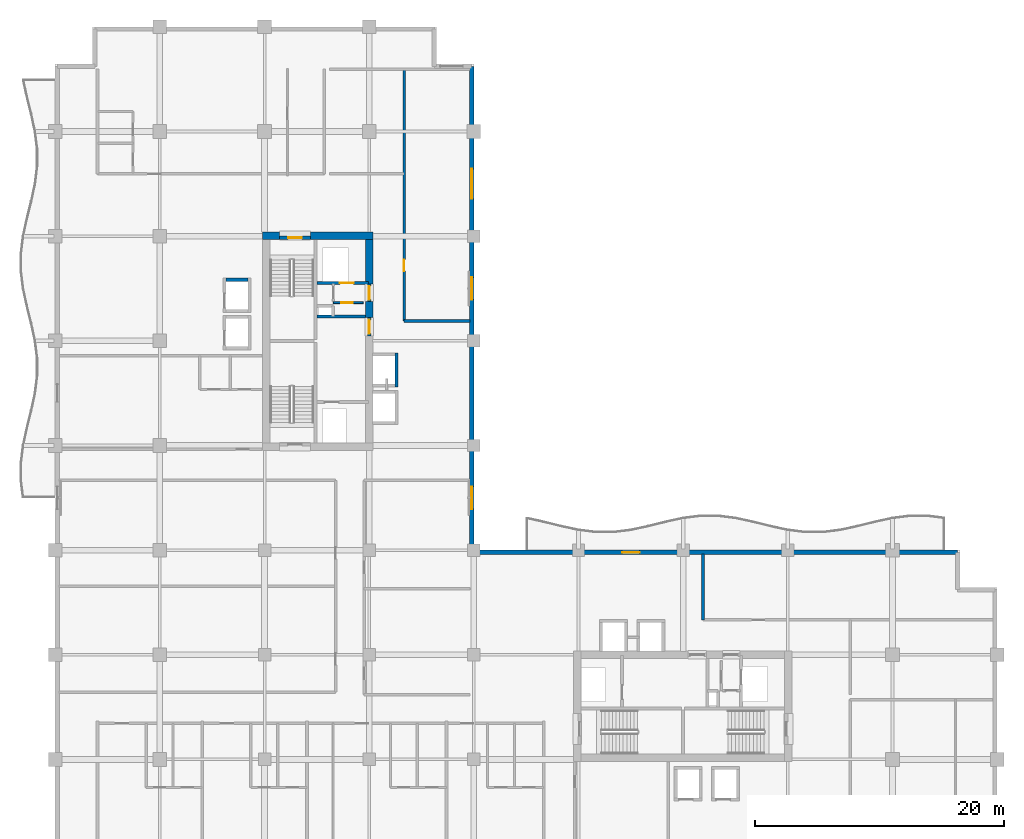
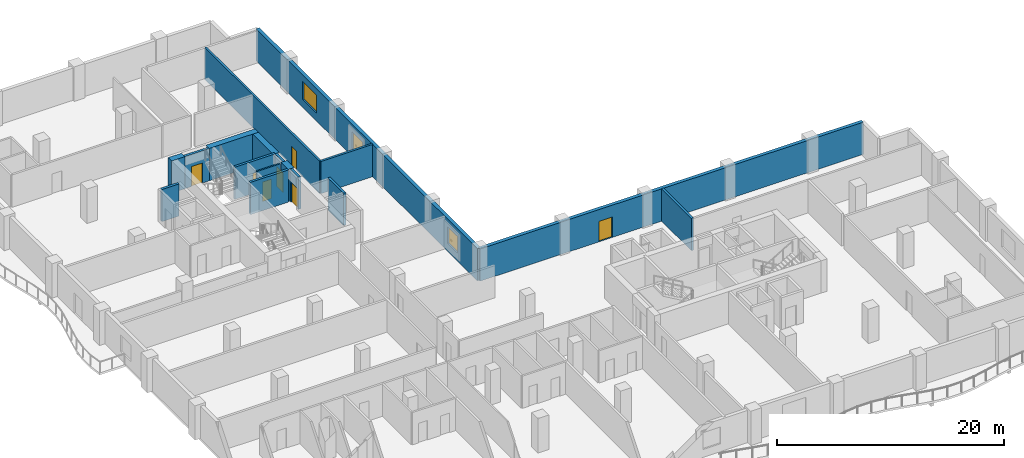
# One storey, part 7 of 14: 17 walls, 7 doors, 3 windows, 10 openings.
"""IFC4 building model written with IfcOpenShell, lengths in metres."""

import ifcopenshell
import ifcopenshell.guid

model = None  # the IFC model being written
_history = None  # IfcOwnerHistory: only IFC2X3 demands one
_inside = {}  # id of a spatial element -> (the spatial element, [elements in it])
_under = {}  # id of a project, library or spatial element -> (it, [spatial elements below it])
_declared = {}  # id of a project -> (the project, [libraries it declares])
_typed = {}  # id of a type object -> (the type object, [elements of that type])
_made_of = {}  # id of a material, layer set ... -> (it, [elements and type objects made of it])


def new_model(schema):
    """Start an empty IFC model of exactly this schema.

    Asked for "IFC4X3", IfcOpenShell would pick the latest addendum, in which some entities
    have other attributes; the version numbers below select the first issue.
    IFC2X3 requires an IfcOwnerHistory on every rooted entity: one is made here for all.
    """
    global model, _history
    if schema == "IFC4X3":
        model = ifcopenshell.file(schema_version=(4, 3, 0, 0))
    else:
        model = ifcopenshell.file(schema=schema)
    _inside.clear()
    _under.clear()
    _declared.clear()
    _typed.clear()
    _made_of.clear()
    _history = None
    if model.schema == "IFC2X3":
        org = make("IfcOrganization", Name="unknown")
        user = make(
            "IfcPersonAndOrganization",
            ThePerson=make("IfcPerson", FamilyName="unknown"),
            TheOrganization=org,
        )
        app = make(
            "IfcApplication",
            ApplicationDeveloper=org,
            Version="unknown",
            ApplicationFullName="unknown",
            ApplicationIdentifier="unknown",
        )
        _history = make(
            "IfcOwnerHistory",
            OwningUser=user,
            OwningApplication=app,
            ChangeAction="ADDED",
            CreationDate=0,
        )
    return model


def make(cls, **values):
    """One entity of the class cls with the attributes given. An attribute that is None is left unset."""
    return model.create_entity(
        cls, **{name: value for name, value in values.items() if value is not None}
    )


def rooted(cls, **values):
    """An entity with a GlobalId (a new one), such as an element, a storey or a relation."""
    return make(cls, GlobalId=ifcopenshell.guid.new(), OwnerHistory=_history, **values)


def si_unit(unit_type, name, prefix=None):
    """IfcSIUnit, for example si_unit("LENGTHUNIT", "METRE", prefix="MILLI")."""
    return make("IfcSIUnit", UnitType=unit_type, Prefix=prefix, Name=name)


def assignment(units):
    """IfcUnitAssignment: the units of a project."""
    return None if units is None else make("IfcUnitAssignment", Units=units)


def point(xyz):
    """IfcCartesianPoint."""
    return None if xyz is None else make("IfcCartesianPoint", Coordinates=xyz)


def direction(xyz):
    """IfcDirection."""
    return None if xyz is None else make("IfcDirection", DirectionRatios=xyz)


def frame(location, z_axis=None, x_axis=None):
    """IfcAxis2Placement3D, a coordinate frame: its origin and axes. An axis left out is left unset."""
    return make(
        "IfcAxis2Placement3D",
        Location=point(location),
        Axis=direction(z_axis),
        RefDirection=direction(x_axis),
    )


def frame_2d(location, x_axis=None):
    """IfcAxis2Placement2D, a coordinate frame in the plane: its origin and x axis."""
    return make(
        "IfcAxis2Placement2D", Location=point(location), RefDirection=direction(x_axis)
    )


def origin():
    """The frame at (0, 0, 0) with its axes left unset."""
    return frame((0.0, 0.0, 0.0))


def place(relative_to, where):
    """IfcLocalPlacement: puts the frame where relative to a parent placement (None: the world)."""
    return make(
        "IfcLocalPlacement", PlacementRelTo=relative_to, RelativePlacement=where
    )


def context(
    kind, dimensions, precision=None, world=None, true_north=None, identifier=None
):
    """IfcGeometricRepresentationContext, for example the 3D "Model" context."""
    return make(
        "IfcGeometricRepresentationContext",
        ContextIdentifier=identifier,
        ContextType=kind,
        CoordinateSpaceDimension=dimensions,
        Precision=precision,
        WorldCoordinateSystem=world,
        TrueNorth=true_north,
    )


def subcontext(parent, identifier, kind, view, scale=None):
    """IfcGeometricRepresentationSubContext, for example "Body" below "Model"."""
    return make(
        "IfcGeometricRepresentationSubContext",
        ContextIdentifier=identifier,
        ContextType=kind,
        ParentContext=parent,
        TargetScale=scale,
        TargetView=view,
    )


def project(units=None, contexts=None):
    """IfcProject with its units and contexts."""
    return rooted(
        "IfcProject",
        Name="project",
        RepresentationContexts=contexts,
        UnitsInContext=assignment(units),
    )


def spatial(cls, under=None, at=None, **own):
    """A site, building, storey or space (cls), placed at a placement, below another one or the project."""
    s = rooted(cls, ObjectPlacement=at, **own)
    if under is not None:
        _under.setdefault(under.id(), (under, []))[1].append(s)
    return s


def profile(cls, at=None, kind="AREA", **sizes):
    """A parametric profile (cls). Its sizes go by their IFC names, for example OverallWidth=200.0."""
    return make(cls, ProfileType=kind, Position=at, **sizes)


def rectangle(**sizes):
    """IfcRectangleProfileDef."""
    return profile("IfcRectangleProfileDef", **sizes)


def extrude(swept, where, along, depth):
    """IfcExtrudedAreaSolid: the profile swept, set in the frame where, extruded along a direction by depth."""
    return make(
        "IfcExtrudedAreaSolid",
        SweptArea=swept,
        Position=where,
        ExtrudedDirection=direction(along),
        Depth=depth,
    )


def shape(context_of_items, identifier, shape_type, items):
    """IfcShapeRepresentation: the items that make up one representation, for example the "Body"."""
    return make(
        "IfcShapeRepresentation",
        ContextOfItems=context_of_items,
        RepresentationIdentifier=identifier,
        RepresentationType=shape_type,
        Items=items,
    )


def material(Name=None, Category=None):
    """IfcMaterial."""
    return make("IfcMaterial", Name=Name, Category=Category)


def layer(
    of_material, thickness, ventilated=None, Name=None, Category=None, Priority=None
):
    """IfcMaterialLayer: one layer of a wall or slab, of a material (None: an air gap)."""
    return make(
        "IfcMaterialLayer",
        Material=of_material,
        LayerThickness=thickness,
        IsVentilated=ventilated,
        Name=Name,
        Category=Category,
        Priority=Priority,
    )


def layer_set(layers, Name=None):
    """IfcMaterialLayerSet."""
    return make("IfcMaterialLayerSet", MaterialLayers=layers, LayerSetName=Name)


def made_of(thing, what):
    """Note that an element or type object is made of a material, layer set ...; save() writes the relation."""
    if what is not None:
        _made_of.setdefault(what.id(), (what, []))[1].append(thing)
    return thing


def type_object(cls, material=None, **own):
    """A type object (cls), such as IfcWallType, which elements share."""
    return made_of(rooted(cls, **own), material)


def element(
    cls,
    number,
    at=None,
    inside=None,
    cuts=None,
    type_object=None,
    material=None,
    context=None,
    identifier="Body",
    shape_type=None,
    held_by="IfcProductDefinitionShape",
    body=None,
    shapes=None,
    **own,
):
    """One element of the class cls, such as IfcWall. Its Tag is "e" and its number.

    at: its placement. inside: the storey or other place that contains it. cuts: it is an
    opening in that element (IfcRelVoidsElement). A single representation is given by context,
    identifier, shape_type and body (its items); several are given by shapes. held_by: the class
    of the entity that holds the representations. save() writes the other relations.
    """
    e = rooted(cls, Tag="e%d" % number, ObjectPlacement=at, **own)
    if body is not None:
        shapes = [shape(context, identifier, shape_type, body)]
    if shapes is not None:
        e.Representation = make(held_by, Representations=shapes)
    if inside is not None:
        _inside.setdefault(inside.id(), (inside, []))[1].append(e)
    if cuts is not None:
        rooted(
            "IfcRelVoidsElement", RelatingBuildingElement=cuts, RelatedOpeningElement=e
        )
    if type_object is not None:
        _typed.setdefault(type_object.id(), (type_object, []))[1].append(e)
    return made_of(e, material)


def fill(opening, filler):
    """IfcRelFillsElement: the door or window that sits in an opening."""
    return rooted(
        "IfcRelFillsElement",
        RelatingOpeningElement=opening,
        RelatedBuildingElement=filler,
    )


def aggregate(whole, parts):
    """IfcRelAggregates: a whole, such as a stair, and the parts it consists of."""
    return rooted("IfcRelAggregates", RelatingObject=whole, RelatedObjects=parts)


def save(model, path):
    """Write the relations noted so far, then the file.

    IfcRelAggregates (storeys below a building ...), IfcRelContainedInSpatialStructure (elements
    in a storey), IfcRelDefinesByType, IfcRelAssociatesMaterial and IfcRelDeclares: one each for
    every whole, place, type object, material and project.
    """
    for whole, parts in _under.values():
        aggregate(whole, parts)
    for where, things in _inside.values():
        rooted(
            "IfcRelContainedInSpatialStructure",
            RelatedElements=things,
            RelatingStructure=where,
        )
    for kind, things in _typed.values():
        rooted("IfcRelDefinesByType", RelatedObjects=things, RelatingType=kind)
    for what, things in _made_of.values():
        rooted("IfcRelAssociatesMaterial", RelatedObjects=things, RelatingMaterial=what)
    for by, libraries in _declared.values():
        rooted("IfcRelDeclares", RelatingContext=by, RelatedDefinitions=libraries)
    model.write(path)


model = new_model("IFC4")

# Units and contexts
model_context = context("Model", 3, precision=1e-05, world=origin(), true_north=direction((0.0, 1.0)))
body_context = subcontext(model_context, "Body", "Model", "MODEL_VIEW")
ifc_project = project(units=[si_unit("LENGTHUNIT", "METRE"), si_unit("AREAUNIT", "SQUARE_METRE"), si_unit("VOLUMEUNIT", "CUBIC_METRE"), si_unit("PLANEANGLEUNIT", "RADIAN"), si_unit("MASSUNIT", "GRAM", prefix="KILO")], contexts=[model_context])

# Site, building, storey
site_placement = place(None, origin())
site = spatial("IfcSite", under=ifc_project, at=site_placement, CompositionType="ELEMENT")
building_placement = place(site_placement, origin())
building = spatial("IfcBuilding", under=site, at=building_placement, Name="Koriwani Terraces Tower", CompositionType="ELEMENT")
storey_placement = place(building_placement, frame((0.0, 0.0, 201.300048828125)))
storey = spatial("IfcBuildingStorey", under=building, at=storey_placement, Name="L49", CompositionType="ELEMENT", Elevation=201.300048828125)

# Walls
ifc_material_1 = material(Name="Concrete C60/75", Category="concrete")
ifc_layer_1 = layer(ifc_material_1, 0.60009765625, Name="Concrete C60/75")
ifc_layer_set_1 = layer_set([ifc_layer_1], Name="Concrete C60/75")
wall_type_1 = type_object("IfcWallType", Name="WALL_CORE_RC_600", PredefinedType="SHEAR", material=ifc_layer_set_1)
wall_1_placement = place(storey_placement, frame((16.64990234375, 58.85009765625, 0.0), z_axis=(0.0, 0.0, 1.0), x_axis=(1.0, 0.0, 0.0)))
element("IfcWall", 1, at=wall_1_placement, inside=storey, type_object=wall_type_1, Name="L49 West Split Core Shear Wall N1", PredefinedType="SHEAR", context=body_context, shape_type="SweptSolid", body=[
    extrude(rectangle(XDim=1.35009765625, YDim=0.60009765625, at=frame_2d((0.675048828125, 0.0))), origin(), (0.0, 0.0, 1.0), 3.469970703125),
])
wall_2_placement = place(storey_placement, frame((20.5, 58.85009765625, 0.0), z_axis=(0.0, 0.0, 1.0), x_axis=(1.0, 0.0, 0.0)))
element("IfcWall", 2, at=wall_2_placement, inside=storey, type_object=wall_type_1, Name="L49 West Split Core Shear Wall N2", PredefinedType="SHEAR", context=body_context, shape_type="SweptSolid", body=[
    extrude(rectangle(XDim=5.0, YDim=0.60009765625, at=frame_2d((2.5, 0.0))), origin(), (0.0, 0.0, 1.0), 3.469970703125),
])
wall_3_placement = place(storey_placement, frame((25.199951171875, 52.280029296875, 0.0), z_axis=(0.0, 0.0, 1.0), x_axis=(0.0, 1.0, 0.0)))
element("IfcWall", 3, at=wall_3_placement, inside=storey, type_object=wall_type_1, Name="L49 West Split Core Shear Wall E2", PredefinedType="SHEAR", context=body_context, shape_type="SweptSolid", body=[
    extrude(rectangle(XDim=1.27001953125, YDim=0.60009765625, at=frame_2d((0.635009765625, 0.0))), origin(), (0.0, 0.0, 1.0), 3.469970703125),
])
wall_4_placement = place(storey_placement, frame((25.199951171875, 54.949951171875, 0.0), z_axis=(0.0, 0.0, 1.0), x_axis=(0.0, 1.0, 0.0)))
element("IfcWall", 4, at=wall_4_placement, inside=storey, type_object=wall_type_1, Name="L49 West Split Core Shear Wall E3", PredefinedType="SHEAR", context=body_context, shape_type="SweptSolid", body=[
    extrude(rectangle(XDim=3.60009765625, YDim=0.60009765625, at=frame_2d((1.800048828125, 0.0))), origin(), (0.0, 0.0, 1.0), 3.469970703125),
])

# Wall, opening, door
ifc_material_2 = material(Name="Autoclaved Cellular Concrete Blockwork", Category="masonry")
ifc_layer_2 = layer(ifc_material_2, 0.199951171875, Name="Autoclaved Cellular Concrete Blockwork")
ifc_layer_set_2 = layer_set([ifc_layer_2], Name="Autoclaved Cellular Concrete Blockwork")
wall_type_2 = type_object("IfcWallType", Name="WALL_CORRIDOR_200", PredefinedType="PARTITIONING", material=ifc_layer_set_2)
wall_5_placement = place(storey_placement, frame((28.0, 52.0, 0.0), z_axis=(0.0, 0.0, 1.0), x_axis=(0.0, 1.0, 0.0)))
wall_5 = element("IfcWall", 5, at=wall_5_placement, inside=storey, type_object=wall_type_2, Name="L49 Interior Wall WNWT2-W-L49", PredefinedType="PARTITIONING", context=body_context, shape_type="SweptSolid", body=[
    extrude(rectangle(XDim=20.199951171875, YDim=0.199951171875, at=frame_2d((10.10009765625, 0.0))), origin(), (0.0, 0.0, 1.0), 3.469970703125),
])
opening_1_placement = place(wall_5_placement, frame((4.0, 0.0, 0.0)))
opening_1 = element("IfcOpeningElement", 6, at=opening_1_placement, cuts=wall_5, Name="Opening D-06", PredefinedType="OPENING", context=body_context, shape_type="SweptSolid", body=[
    extrude(rectangle(XDim=0.919921875, YDim=2.10009765625, at=frame_2d((0.4599609375, 1.050048828125))), frame((0.0, 0.10986328125, 0.0), z_axis=(0.0, -1.0, 0.0), x_axis=(1.0, 0.0, 0.0)), (0.0, 0.0, 1.0), 0.219970703125),
])
ifc_material_3 = material(Name="Architectural Oak Fire Door", Category="wood")
door_type_1 = type_object("IfcDoorType", Name="DOOR_ROOM_INT_920X2100", OperationType="NOTDEFINED", PredefinedType="DOOR", material=ifc_material_3)
door_1_placement = place(opening_1_placement, origin())
door_1 = element("IfcDoor", 7, at=door_1_placement, inside=storey, type_object=door_type_1, Name="L49 North Court Lounge Door", OperationType="SINGLE_SWING_RIGHT", OverallHeight=2.10009765625, OverallWidth=0.919921875, PredefinedType="DOOR", context=body_context, shape_type="SweptSolid", body=[
    extrude(rectangle(XDim=0.919921875, YDim=2.10009765625, at=frame_2d((0.4599609375, 1.050048828125))), frame((0.0, 0.02490234375, 0.0), z_axis=(0.0, -1.0, 0.0), x_axis=(1.0, 0.0, 0.0)), (0.0, 0.0, 1.0), 0.050048828125),
])
fill(opening_1, door_1)

# Walls
ifc_layer_3 = layer(ifc_material_2, 0.219970703125, Name="Autoclaved Cellular Concrete Blockwork")
ifc_layer_set_3 = layer_set([ifc_layer_3], Name="Autoclaved Cellular Concrete Blockwork")
wall_type_3 = type_object("IfcWallType", Name="WALL_DEMISING_220", PredefinedType="PARTITIONING", material=ifc_layer_set_3)
for number, where, z_axis, x_axis, name in (
    (8, (28.0, 52.0, 0.0), (0.0, 0.0, 1.0), (1.0, 0.0, 0.0), "L49 Interior Wall WNWT2-S-L49"),
    (9, (52.0, 28.0, 0.0), (0.0, 0.0, 1.0), (0.0, 1.0, 0.0), "L49 Interior Wall WSET2-W-L49"),
):
    element("IfcWall", number, at=place(storey_placement, frame(where, z_axis=z_axis, x_axis=x_axis)), inside=storey, type_object=wall_type_3, Name=name, PredefinedType="PARTITIONING", context=body_context, shape_type="SweptSolid", body=[
        extrude(rectangle(XDim=5.300048828125, YDim=0.219970703125, at=frame_2d((2.64990234375, 0.0))), origin(), (0.0, 0.0, 1.0), 3.469970703125),
    ])

# Wall, openings, windows
ifc_material_4 = material(Name="Concrete C50/60", Category="concrete")
ifc_layer_4 = layer(ifc_material_4, 0.35009765625, Name="Concrete C50/60")
ifc_layer_set_4 = layer_set([ifc_layer_4], Name="Concrete C50/60")
wall_type_4 = type_object("IfcWallType", Name="WALL_EXT_BRUTALIST_350", PredefinedType="STANDARD", material=ifc_layer_set_4)
wall_6_placement = place(storey_placement, frame((33.425048828125, 72.425048828125, 0.0), z_axis=(0.0, 0.0, 1.0), x_axis=(0.0, -1.0, 0.0)))
wall_6 = element("IfcWall", 10, at=wall_6_placement, inside=storey, type_object=wall_type_4, Name="L49 Fair-Faced Brutalist Exterior Wall (NW_IN)", PredefinedType="STANDARD", context=body_context, shape_type="SweptSolid", body=[
    extrude(rectangle(XDim=39.0, YDim=0.35009765625, at=frame_2d((19.5, 0.0))), origin(), (0.0, 0.0, 1.0), 3.469970703125),
])
opening_2_placement = place(wall_6_placement, frame((33.72509765625, 0.0, 0.85009765625)))
opening_2 = element("IfcOpeningElement", 11, at=opening_2_placement, cuts=wall_6, Name="Opening W-04", PredefinedType="OPENING", context=body_context, shape_type="SweptSolid", body=[
    extrude(rectangle(XDim=1.800048828125, YDim=1.800048828125, at=frame_2d((0.89990234375, 0.89990234375))), frame((0.0, 0.18505859375, 0.0), z_axis=(0.0, -1.0, 0.0), x_axis=(1.0, 0.0, 0.0)), (0.0, 0.0, 1.0), 0.3701171875),
])
opening_3_placement = place(wall_6_placement, frame((16.925048828125, 0.0, 0.85009765625)))
opening_3 = element("IfcOpeningElement", 12, at=opening_3_placement, cuts=wall_6, Name="Opening W-04", PredefinedType="OPENING", context=body_context, shape_type="SweptSolid", body=[
    extrude(rectangle(XDim=1.800048828125, YDim=1.800048828125, at=frame_2d((0.89990234375, 0.89990234375))), frame((0.0, 0.18505859375, 0.0), z_axis=(0.0, -1.0, 0.0), x_axis=(1.0, 0.0, 0.0)), (0.0, 0.0, 1.0), 0.3701171875),
])
opening_4_placement = place(wall_6_placement, frame((8.22509765625, 0.0, 0.85009765625)))
opening_4 = element("IfcOpeningElement", 13, at=opening_4_placement, cuts=wall_6, Name="Opening W-03", PredefinedType="OPENING", context=body_context, shape_type="SweptSolid", body=[
    extrude(rectangle(XDim=2.39990234375, YDim=1.949951171875, at=frame_2d((1.199951171875, 0.97509765625))), frame((0.0, 0.18505859375, 0.0), z_axis=(0.0, -1.0, 0.0), x_axis=(1.0, 0.0, 0.0)), (0.0, 0.0, 1.0), 0.3701171875),
])
ifc_material_5 = material(Name="Tempered Laminated Low-E Glass", Category="glass")
window_type_1 = type_object("IfcWindowType", Name="WIN_RES_BED_1800X1800", PartitioningType="DOUBLE_PANEL_VERTICAL", PredefinedType="WINDOW", material=ifc_material_5)
window_1_placement = place(opening_2_placement, origin())
window_1 = element("IfcWindow", 14, at=window_1_placement, inside=storey, type_object=window_type_1, Name="L49 Exterior Window (NW_IN-2)", OverallHeight=1.800048828125, OverallWidth=1.800048828125, PartitioningType="SINGLE_PANEL", PredefinedType="WINDOW", context=body_context, shape_type="SweptSolid", body=[
    extrude(rectangle(XDim=1.800048828125, YDim=1.800048828125, at=frame_2d((0.89990234375, 0.89990234375))), frame((0.0, 0.030029296875, 0.0), z_axis=(0.0, -1.0, 0.0), x_axis=(1.0, 0.0, 0.0)), (0.0, 0.0, 1.0), 0.06005859375),
])
fill(opening_2, window_1)
window_2_placement = place(opening_3_placement, origin())
window_2 = element("IfcWindow", 15, at=window_2_placement, inside=storey, type_object=window_type_1, Name="L49 Exterior Window (NW_IN-8)", OverallHeight=1.800048828125, OverallWidth=1.800048828125, PartitioningType="SINGLE_PANEL", PredefinedType="WINDOW", context=body_context, shape_type="SweptSolid", body=[
    extrude(rectangle(XDim=1.800048828125, YDim=1.800048828125, at=frame_2d((0.89990234375, 0.89990234375))), frame((0.0, 0.030029296875, 0.0), z_axis=(0.0, -1.0, 0.0), x_axis=(1.0, 0.0, 0.0)), (0.0, 0.0, 1.0), 0.06005859375),
])
fill(opening_3, window_2)
window_type_2 = type_object("IfcWindowType", Name="WIN_RES_LIVING_2400X1950", PartitioningType="DOUBLE_PANEL_VERTICAL", PredefinedType="WINDOW", material=ifc_material_5)
window_3_placement = place(opening_4_placement, origin())
window_3 = element("IfcWindow", 16, at=window_3_placement, inside=storey, type_object=window_type_2, Name="L49 Exterior Window (NW_IN-11)", OverallHeight=1.949951171875, OverallWidth=2.39990234375, PartitioningType="SINGLE_PANEL", PredefinedType="WINDOW", context=body_context, shape_type="SweptSolid", body=[
    extrude(rectangle(XDim=2.39990234375, YDim=1.949951171875, at=frame_2d((1.199951171875, 0.97509765625))), frame((0.0, 0.030029296875, 0.0), z_axis=(0.0, -1.0, 0.0), x_axis=(1.0, 0.0, 0.0)), (0.0, 0.0, 1.0), 0.06005859375),
])
fill(opening_4, window_3)

# Wall, opening, door
wall_7_placement = place(storey_placement, frame((33.425048828125, 33.425048828125, 0.0), z_axis=(0.0, 0.0, 1.0), x_axis=(1.0, 0.0, 0.0)))
wall_7 = element("IfcWall", 17, at=wall_7_placement, inside=storey, type_object=wall_type_4, Name="L49 Fair-Faced Brutalist Exterior Wall (NE)", PredefinedType="STANDARD", context=body_context, shape_type="SweptSolid", body=[
    extrude(rectangle(XDim=39.0, YDim=0.35009765625, at=frame_2d((19.5, 0.0))), origin(), (0.0, 0.0, 1.0), 3.469970703125),
])
opening_5_placement = place(wall_7_placement, frame((12.074951171875, 0.0, 0.0)))
opening_5 = element("IfcOpeningElement", 18, at=opening_5_placement, cuts=wall_7, Name="Opening D-09", PredefinedType="OPENING", context=body_context, shape_type="SweptSolid", body=[
    extrude(rectangle(XDim=1.39990234375, YDim=2.199951171875, at=frame_2d((0.699951171875, 1.10009765625))), frame((0.0, 0.18505859375, 0.0), z_axis=(0.0, -1.0, 0.0), x_axis=(1.0, 0.0, 0.0)), (0.0, 0.0, 1.0), 0.3701171875),
])
ifc_material_6 = material(Name="Anodised Bronze Aluminium", Category="aluminium")
door_type_2 = type_object("IfcDoorType", Name="DOOR_BALCONY_GLAZED_1400X2200", OperationType="NOTDEFINED", PredefinedType="DOOR", material=ifc_material_6)
door_2_placement = place(opening_5_placement, origin())
door_2 = element("IfcDoor", 19, at=door_2_placement, inside=storey, type_object=door_type_2, Name="L49 Inner Court Balcony Glazed Door", OperationType="SINGLE_SWING_LEFT", OverallHeight=2.199951171875, OverallWidth=1.39990234375, PredefinedType="DOOR", context=body_context, shape_type="SweptSolid", body=[
    extrude(rectangle(XDim=1.39990234375, YDim=2.199951171875, at=frame_2d((0.699951171875, 1.10009765625))), frame((0.0, 0.02490234375, 0.0), z_axis=(0.0, -1.0, 0.0), x_axis=(1.0, 0.0, 0.0)), (0.0, 0.0, 1.0), 0.050048828125),
])
fill(opening_5, door_2)

ifc_material_7 = material(Name="Concrete C40/50", Category="concrete")
ifc_layer_5 = layer(ifc_material_7, 0.25, Name="Concrete C40/50")
ifc_layer_set_5 = layer_set([ifc_layer_5], Name="Concrete C40/50")
wall_type_5 = type_object("IfcWallType", Name="WALL_SHAFT_RATED_250", PredefinedType="SOLIDWALL", material=ifc_layer_set_5)
wall_8_placement = place(storey_placement, frame((18.0, 58.675048828125, 0.0), z_axis=(0.0, 0.0, 1.0), x_axis=(1.0, 0.0, 0.0)))
wall_8 = element("IfcWall", 20, at=wall_8_placement, inside=storey, type_object=wall_type_5, Name="L49 Interior Wall WIN-CW-L49-STN", PredefinedType="SOLIDWALL", context=body_context, shape_type="SweptSolid", body=[
    extrude(rectangle(XDim=2.5, YDim=0.25, at=frame_2d((1.25, 0.0))), origin(), (0.0, 0.0, 1.0), 3.469970703125),
])
opening_6_placement = place(wall_8_placement, frame((0.699951171875, 0.0, 0.0)))
opening_6 = element("IfcOpeningElement", 21, at=opening_6_placement, cuts=wall_8, Name="Opening D-03", PredefinedType="OPENING", context=body_context, shape_type="SweptSolid", body=[
    extrude(rectangle(XDim=1.10009765625, YDim=2.14990234375, at=frame_2d((0.550048828125, 1.074951171875))), frame((0.0, 0.135009765625, 0.0), z_axis=(0.0, -1.0, 0.0), x_axis=(1.0, 0.0, 0.0)), (0.0, 0.0, 1.0), 0.27001953125),
])
ifc_material_8 = material(Name="Steel ASTM A572 Grade 50", Category="steel")
door_type_3 = type_object("IfcDoorType", Name="DOOR_STAIR_FIRE_1100X2150", OperationType="NOTDEFINED", PredefinedType="DOOR", material=ifc_material_8)
door_3_placement = place(opening_6_placement, origin())
door_3 = element("IfcDoor", 22, at=door_3_placement, inside=storey, type_object=door_type_3, Name="L49 Exit Stair ST-W2 Door", OperationType="SINGLE_SWING_RIGHT", OverallHeight=2.14990234375, OverallWidth=1.10009765625, PredefinedType="DOOR", context=body_context, shape_type="SweptSolid", body=[
    extrude(rectangle(XDim=1.10009765625, YDim=2.14990234375, at=frame_2d((0.550048828125, 1.074951171875))), frame((0.0, 0.02490234375, 0.0), z_axis=(0.0, -1.0, 0.0), x_axis=(1.0, 0.0, 0.0)), (0.0, 0.0, 1.0), 0.050048828125),
])
fill(opening_6, door_3)

wall_9_placement = place(storey_placement, frame((25.199951171875, 50.800048828125, 0.0), z_axis=(0.0, 0.0, 1.0), x_axis=(0.0, 1.0, 0.0)))
wall_9 = element("IfcWall", 23, at=wall_9_placement, inside=storey, type_object=wall_type_5, Name="L49 Interior Wall WIN-CW-L49-EP", PredefinedType="SOLIDWALL", context=body_context, shape_type="SweptSolid", body=[
    extrude(rectangle(XDim=1.47998046875, YDim=0.25, at=frame_2d((0.739990234375, 0.0))), origin(), (0.0, 0.0, 1.0), 3.469970703125),
])
opening_7_placement = place(wall_9_placement, frame((0.179931640625, 0.0, 0.0)))
opening_7 = element("IfcOpeningElement", 24, at=opening_7_placement, cuts=wall_9, Name="Opening D-03", PredefinedType="OPENING", context=body_context, shape_type="SweptSolid", body=[
    extrude(rectangle(XDim=1.10009765625, YDim=2.14990234375, at=frame_2d((0.550048828125, 1.074951171875))), frame((0.0, 0.135009765625, 0.0), z_axis=(0.0, -1.0, 0.0), x_axis=(1.0, 0.0, 0.0)), (0.0, 0.0, 1.0), 0.27001953125),
])
door_4_placement = place(opening_7_placement, origin())
door_4 = element("IfcDoor", 25, at=door_4_placement, inside=storey, type_object=door_type_3, Name="L49 West Firefighting Lobby Door", OperationType="SINGLE_SWING_LEFT", OverallHeight=2.14990234375, OverallWidth=1.10009765625, PredefinedType="DOOR", context=body_context, shape_type="SweptSolid", body=[
    extrude(rectangle(XDim=1.10009765625, YDim=2.14990234375, at=frame_2d((0.550048828125, 1.074951171875))), frame((0.0, 0.02490234375, 0.0), z_axis=(0.0, -1.0, 0.0), x_axis=(1.0, 0.0, 0.0)), (0.0, 0.0, 1.0), 0.050048828125),
])
fill(opening_7, door_4)

# Wall
wall_10_placement = place(storey_placement, frame((21.0, 52.340087890625, 0.0), z_axis=(0.0, 0.0, 1.0), x_axis=(1.0, 0.0, 0.0)))
element("IfcWall", 26, at=wall_10_placement, inside=storey, type_object=wall_type_5, Name="L49 Interior Wall WIN-CW-L49-FFN", PredefinedType="SOLIDWALL", context=body_context, shape_type="SweptSolid", body=[
    extrude(rectangle(XDim=3.89990234375, YDim=0.25, at=frame_2d((1.949951171875, 0.0))), origin(), (0.0, 0.0, 1.0), 3.469970703125),
])

# Wall, opening, door
wall_11_placement = place(storey_placement, frame((21.0, 55.050048828125, 0.0), z_axis=(0.0, 0.0, 1.0), x_axis=(1.0, 0.0, 0.0)))
wall_11 = element("IfcWall", 27, at=wall_11_placement, inside=storey, type_object=wall_type_5, Name="L49 Interior Wall WIN-CW-L49-SE", PredefinedType="SOLIDWALL", context=body_context, shape_type="SweptSolid", body=[
    extrude(rectangle(XDim=4.14990234375, YDim=0.25, at=frame_2d((2.074951171875, 0.0))), origin(), (0.0, 0.0, 1.0), 3.469970703125),
])
opening_8_placement = place(wall_11_placement, frame((1.85009765625, 0.0, 0.0)))
opening_8 = element("IfcOpeningElement", 28, at=opening_8_placement, cuts=wall_11, Name="Opening LD-01", PredefinedType="OPENING", context=body_context, shape_type="SweptSolid", body=[
    extrude(rectangle(XDim=1.10009765625, YDim=2.14990234375, at=frame_2d((0.550048828125, 1.074951171875))), frame((0.0, 0.135009765625, 0.0), z_axis=(0.0, -1.0, 0.0), x_axis=(1.0, 0.0, 0.0)), (0.0, 0.0, 1.0), 0.27001953125),
])
door_type_4 = type_object("IfcDoorType", Name="DOOR_LIFT_LANDING_1100X2200", OperationType="NOTDEFINED", PredefinedType="DOOR", material=ifc_material_8)
door_5_placement = place(opening_8_placement, origin())
door_5 = element("IfcDoor", 29, at=door_5_placement, inside=storey, type_object=door_type_4, Name="L49 Goods Lift SE-01 Landing Door", OperationType="SLIDING_TO_LEFT", OverallHeight=2.14990234375, OverallWidth=1.10009765625, PredefinedType="DOOR", context=body_context, shape_type="SweptSolid", body=[
    extrude(rectangle(XDim=1.10009765625, YDim=2.14990234375, at=frame_2d((0.550048828125, 1.074951171875))), frame((0.0, 0.02490234375, 0.0), z_axis=(0.0, -1.0, 0.0), x_axis=(1.0, 0.0, 0.0)), (0.0, 0.0, 1.0), 0.050048828125),
])
fill(opening_8, door_5)

wall_12_placement = place(storey_placement, frame((25.199951171875, 53.550048828125, 0.0), z_axis=(0.0, 0.0, 1.0), x_axis=(0.0, 1.0, 0.0)))
wall_12 = element("IfcWall", 30, at=wall_12_placement, inside=storey, type_object=wall_type_5, Name="L49 Interior Wall WIN-CW-L49-EP2", PredefinedType="SOLIDWALL", context=body_context, shape_type="SweptSolid", body=[
    extrude(rectangle(XDim=1.39990234375, YDim=0.25, at=frame_2d((0.699951171875, 0.0))), origin(), (0.0, 0.0, 1.0), 3.469970703125),
])
opening_9_placement = place(wall_12_placement, frame((0.14990234375, 0.0, 0.0)))
opening_9 = element("IfcOpeningElement", 31, at=opening_9_placement, cuts=wall_12, Name="Opening D-03", PredefinedType="OPENING", context=body_context, shape_type="SweptSolid", body=[
    extrude(rectangle(XDim=1.10009765625, YDim=2.14990234375, at=frame_2d((0.550048828125, 1.074951171875))), frame((0.0, 0.135009765625, 0.0), z_axis=(0.0, -1.0, 0.0), x_axis=(1.0, 0.0, 0.0)), (0.0, 0.0, 1.0), 0.27001953125),
])
door_6_placement = place(opening_9_placement, origin())
door_6 = element("IfcDoor", 32, at=door_6_placement, inside=storey, type_object=door_type_3, Name="L49 West Goods Lift Lobby Door", OperationType="SINGLE_SWING_RIGHT", OverallHeight=2.14990234375, OverallWidth=1.10009765625, PredefinedType="DOOR", context=body_context, shape_type="SweptSolid", body=[
    extrude(rectangle(XDim=1.10009765625, YDim=2.14990234375, at=frame_2d((0.550048828125, 1.074951171875))), frame((0.0, 0.02490234375, 0.0), z_axis=(0.0, -1.0, 0.0), x_axis=(1.0, 0.0, 0.0)), (0.0, 0.0, 1.0), 0.050048828125),
])
fill(opening_9, door_6)

# Walls
wall_13_placement = place(storey_placement, frame((13.72509765625, 55.300048828125, 0.0), z_axis=(0.0, 0.0, 1.0), x_axis=(1.0, 0.0, 0.0)))
element("IfcWall", 33, at=wall_13_placement, inside=storey, type_object=wall_type_5, Name="L49 Interior Wall WIN-LF-PE-M2-L49-N", PredefinedType="SOLIDWALL", context=body_context, shape_type="SweptSolid", body=[
    extrude(rectangle(XDim=1.75, YDim=0.25, at=frame_2d((0.875, 0.0))), origin(), (0.0, 0.0, 1.0), 3.469970703125),
])
wall_14_placement = place(storey_placement, frame((27.39990234375, 46.675048828125, 0.0), z_axis=(0.0, 0.0, 1.0), x_axis=(0.0, 1.0, 0.0)))
element("IfcWall", 34, at=wall_14_placement, inside=storey, type_object=wall_type_5, Name="L49 Interior Wall WIN-LF-PE-H2-L49-F", PredefinedType="SOLIDWALL", context=body_context, shape_type="SweptSolid", body=[
    extrude(rectangle(XDim=2.75, YDim=0.25, at=frame_2d((1.375, 0.0))), origin(), (0.0, 0.0, 1.0), 3.469970703125),
])

# Wall, opening, door
ifc_material_9 = material(Name="Fire-Rated Acoustic Gypsum Partition", Category="masonry")
ifc_layer_6 = layer(ifc_material_9, 0.159912109375, Name="Fire-Rated Acoustic Gypsum Partition")
ifc_layer_set_6 = layer_set([ifc_layer_6], Name="Fire-Rated Acoustic Gypsum Partition")
wall_type_6 = type_object("IfcWallType", Name="WALL_SUITE_160", PredefinedType="PARTITIONING", material=ifc_layer_set_6)
wall_15_placement = place(storey_placement, frame((22.320068359375, 53.4599609375, 0.0), z_axis=(0.0, 0.0, 1.0), x_axis=(1.0, 0.0, 0.0)))
wall_15 = element("IfcWall", 35, at=wall_15_placement, inside=storey, type_object=wall_type_6, Name="L49 Interior Wall WIN-CW-L49-SV1B", PredefinedType="PARTITIONING", context=body_context, shape_type="SweptSolid", body=[
    extrude(rectangle(XDim=2.39990234375, YDim=0.159912109375, at=frame_2d((1.199951171875, 0.0))), origin(), (0.0, 0.0, 1.0), 3.469970703125),
])
opening_10_placement = place(wall_15_placement, frame((0.64990234375, 0.0, 0.0)))
opening_10 = element("IfcOpeningElement", 36, at=opening_10_placement, cuts=wall_15, Name="Opening D-07", PredefinedType="OPENING", context=body_context, shape_type="SweptSolid", body=[
    extrude(rectangle(XDim=0.89990234375, YDim=2.10009765625, at=frame_2d((0.449951171875, 1.050048828125))), frame((0.0, 0.08984375, 0.0), z_axis=(0.0, -1.0, 0.0), x_axis=(1.0, 0.0, 0.0)), (0.0, 0.0, 1.0), 0.179931640625),
])
door_type_5 = type_object("IfcDoorType", Name="DOOR_BATH_INT_900X2100", OperationType="NOTDEFINED", PredefinedType="DOOR", material=ifc_material_3)
door_7_placement = place(opening_10_placement, origin())
door_7 = element("IfcDoor", 37, at=door_7_placement, inside=storey, type_object=door_type_5, Name="L49 West Cleaners Closet Door", OperationType="SINGLE_SWING_RIGHT", OverallHeight=2.10009765625, OverallWidth=0.89990234375, PredefinedType="DOOR", context=body_context, shape_type="SweptSolid", body=[
    extrude(rectangle(XDim=0.89990234375, YDim=2.10009765625, at=frame_2d((0.449951171875, 1.050048828125))), frame((0.0, 0.02490234375, 0.0), z_axis=(0.0, -1.0, 0.0), x_axis=(1.0, 0.0, 0.0)), (0.0, 0.0, 1.0), 0.050048828125),
])
fill(opening_10, door_7)

save(model, "model.ifc")
